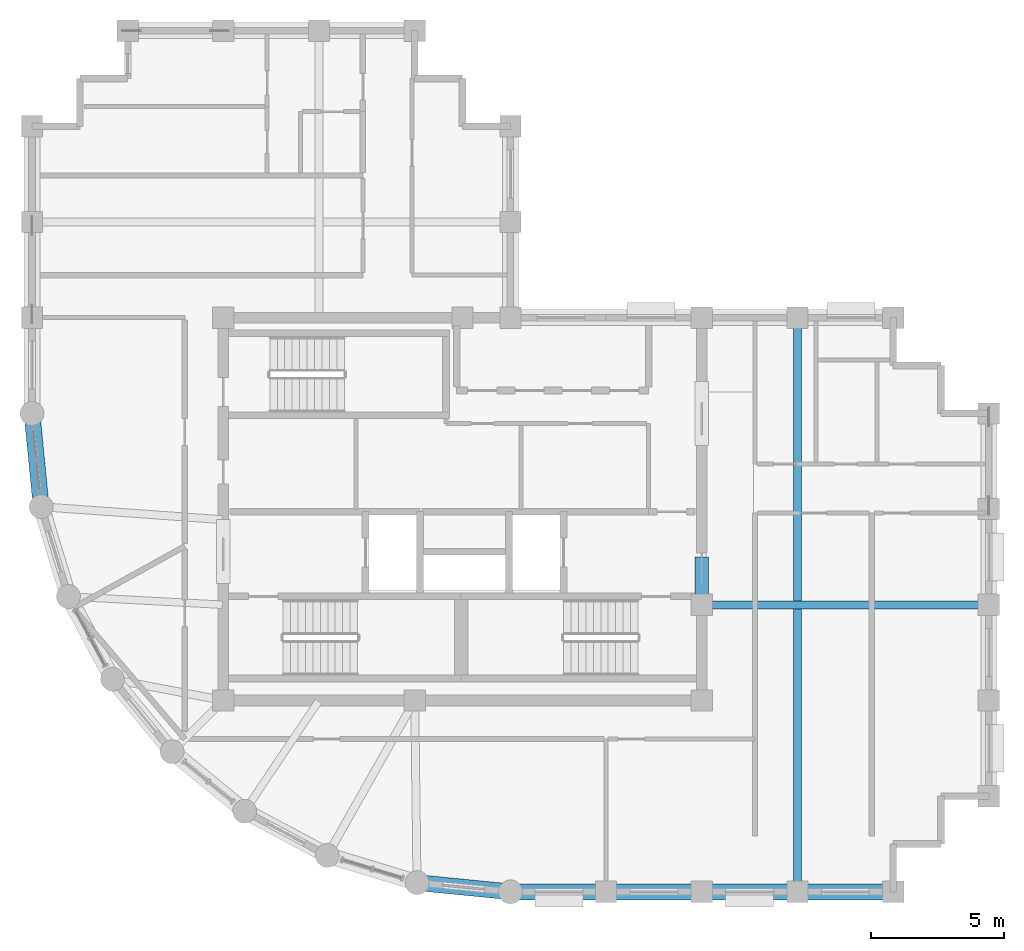
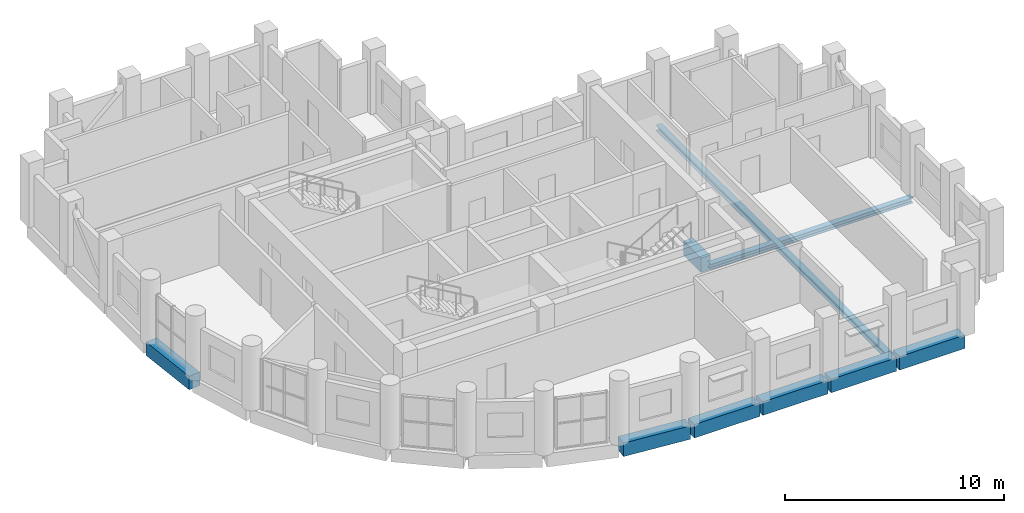
# One storey, part 4 of 11: 9 beams.
"""IFC4 building model written with IfcOpenShell, lengths in metres."""

from ifc_helpers import new_model, si_unit, direction, frame, origin, origin_2d, place, context, subcontext, project, spatial, rectangle, i_section, extrude, material, material_profile, profile_set, type_object, element, save


model = new_model("IFC4")

# Units and contexts
model_context = context("Model", 3, precision=1e-05, world=origin(), true_north=direction((0.0, 1.0)))
body_context = subcontext(model_context, "Body", "Model", "MODEL_VIEW")
ifc_project = project(units=[si_unit("LENGTHUNIT", "METRE"), si_unit("AREAUNIT", "SQUARE_METRE"), si_unit("VOLUMEUNIT", "CUBIC_METRE"), si_unit("PLANEANGLEUNIT", "RADIAN"), si_unit("MASSUNIT", "GRAM", prefix="KILO")], contexts=[model_context])

# Site, building, storey
site_placement = place(None, origin())
site = spatial("IfcSite", under=ifc_project, at=site_placement, CompositionType="ELEMENT")
building_placement = place(site_placement, origin())
building = spatial("IfcBuilding", under=site, at=building_placement, Name="Solnavia Interchange Tower", CompositionType="ELEMENT")
storey_placement = place(building_placement, frame((0.0, 0.0, 273.800048828125)))
storey = spatial("IfcBuildingStorey", under=building, at=storey_placement, Name="L69", CompositionType="ELEMENT", Elevation=273.800048828125)

# Beams
ifc_material_1 = material(Name="Concrete C50/60", Category="concrete")
ifc_material_profile_1 = material_profile(ifc_material_1, rectangle(XDim=0.5, YDim=0.800048828125, at=origin_2d()), Name="RC 500x800")
ifc_profile_set_1 = profile_set([ifc_material_profile_1], Name="Concrete C50/60")
beam_type_1 = type_object("IfcBeamType", Name="Beam-Coupling-RC500x800", PredefinedType="LINTEL", material=ifc_profile_set_1)
beam_1_placement = place(storey_placement, frame((32.39990234375, 14.60009765625, -0.400146484375), z_axis=(0.0, 1.0, 0.0), x_axis=(-1.0, 0.0, 0.0)))
element("IfcBeam", 1, at=beam_1_placement, inside=storey, type_object=beam_type_1, Name="CPB-L69-E1 Core coupling lintel beam", PredefinedType="LINTEL", context=body_context, shape_type="SweptSolid", body=[
    extrude(rectangle(XDim=0.5, YDim=0.800048828125, at=origin_2d()), origin(), (0.0, 0.0, 1.0), 1.599853515625),
])
ifc_material_2 = material(Name="Steel S460", Category="steel")
ifc_material_profile_2 = material_profile(ifc_material_2, i_section(OverallWidth=0.300048828125, OverallDepth=0.300048828125, WebThickness=0.010986328125, FlangeThickness=0.01904296875, FilletRadius=0.027099609375, at=origin_2d()), Name="HEB 300")
ifc_profile_set_2 = profile_set([ifc_material_profile_2], Name="Steel S460")
beam_type_2 = type_object("IfcBeamType", Name="Beam-Girder-HEB300", PredefinedType="BEAM", material=ifc_profile_set_2)
beam_2_placement = place(storey_placement, frame((32.47998046875, 14.39990234375, -0.400146484375), z_axis=(1.0, 0.0, 0.0), x_axis=(0.0, 1.0, 0.0)))
element("IfcBeam", 2, at=beam_2_placement, inside=storey, type_object=beam_type_2, Name="GRD-L69-ES01 East wing spine girder", PredefinedType="BEAM", context=body_context, shape_type="SweptSolid", body=[
    extrude(i_section(OverallWidth=0.300048828125, OverallDepth=0.300048828125, WebThickness=0.010986328125, FlangeThickness=0.01904296875, FilletRadius=0.027099609375, at=origin_2d()), origin(), (0.0, 0.0, 1.0), 10.64013671875),
])
ifc_material_3 = material(Name="Steel S355", Category="steel")
ifc_material_profile_3 = material_profile(ifc_material_3, i_section(OverallWidth=0.300048828125, OverallDepth=0.31005859375, WebThickness=0.009033203125, FlangeThickness=0.015380859375, FilletRadius=0.027099609375, at=origin_2d()), Name="HEA 320")
ifc_profile_set_3 = profile_set([ifc_material_profile_3], Name="Steel S355")
beam_type_3 = type_object("IfcBeamType", Name="Beam-Primary-HEA320", PredefinedType="BEAM", material=ifc_profile_set_3)
beam_3_placement = place(storey_placement, frame((36.0, 3.679931640625, -0.405029296875), z_axis=(0.0, 1.0, 0.0), x_axis=(-1.0, 0.0, 0.0)))
element("IfcBeam", 3, at=beam_3_placement, inside=storey, type_object=beam_type_3, Name="GRD-L69-EW02 East wing primary floor girder", PredefinedType="BEAM", context=body_context, shape_type="SweptSolid", body=[
    extrude(i_section(OverallWidth=0.300048828125, OverallDepth=0.31005859375, WebThickness=0.009033203125, FlangeThickness=0.015380859375, FilletRadius=0.027099609375, at=origin_2d()), origin(), (0.0, 0.0, 1.0), 21.440185546875),
])
ifc_material_profile_4 = material_profile(ifc_material_1, rectangle(XDim=0.60009765625, YDim=0.75, at=origin_2d()), Name="RC 600x750")
ifc_profile_set_4 = profile_set([ifc_material_profile_4], Name="Concrete C50/60")
beam_type_4 = type_object("IfcBeamType", Name="Beam-Spandrel-RC600x750", PredefinedType="SPANDREL", material=ifc_profile_set_4)
beam_4_placement = place(storey_placement, frame((7.207763671875, 21.5205078125, -0.375), z_axis=(0.098040038117, -0.995182471171, 0.0), x_axis=(0.995182471171, 0.098040038117, 0.0)))
element("IfcBeam", 4, at=beam_4_placement, inside=storey, type_object=beam_type_4, Name="SPB-L69-01 Framed-tube perimeter spandrel beam", PredefinedType="SPANDREL", context=body_context, shape_type="SweptSolid", body=[
    extrude(rectangle(XDim=0.60009765625, YDim=0.75, at=origin_2d()), origin(), (0.0, 0.0, 1.0), 3.369140625),
])
beam_5_placement = place(storey_placement, frame((21.767578125, 3.938232421875, -0.375), z_axis=(0.995181774609, -0.098047108501, 0.0), x_axis=(0.098047108501, 0.995181774609, 0.0)))
element("IfcBeam", 5, at=beam_5_placement, inside=storey, type_object=beam_type_4, Name="SPB-L69-08 Framed-tube perimeter spandrel beam", PredefinedType="SPANDREL", context=body_context, shape_type="SweptSolid", body=[
    extrude(rectangle(XDim=0.60009765625, YDim=0.75, at=origin_2d()), origin(), (0.0, 0.0, 1.0), 3.368896484375),
])
beam_6_placement = place(storey_placement, frame((25.280029296875, 3.60009765625, -0.375), z_axis=(1.0, 0.0, 0.0), x_axis=(0.0, 1.0, 0.0)))
element("IfcBeam", 6, at=beam_6_placement, inside=storey, type_object=beam_type_4, Name="SPB-L69-09 Framed-tube perimeter spandrel beam", PredefinedType="SPANDREL", context=body_context, shape_type="SweptSolid", body=[
    extrude(rectangle(XDim=0.60009765625, YDim=0.75, at=origin_2d()), origin(), (0.0, 0.0, 1.0), 3.43994140625),
])
beam_7_placement = place(storey_placement, frame((28.8798828125, 3.60009765625, -0.375), z_axis=(1.0, 0.0, 0.0), x_axis=(0.0, 1.0, 0.0)))
element("IfcBeam", 7, at=beam_7_placement, inside=storey, type_object=beam_type_4, Name="SPB-L69-10 Framed-tube perimeter spandrel beam", PredefinedType="SPANDREL", context=body_context, shape_type="SweptSolid", body=[
    extrude(rectangle(XDim=0.60009765625, YDim=0.75, at=origin_2d()), origin(), (0.0, 0.0, 1.0), 3.440185546875),
])
for number, where, z_axis, x_axis, name in (
    (8, (32.47998046875, 3.60009765625, -0.375), (1.0, 0.0, 0.0), (0.0, 1.0, 0.0), "SPB-L69-11 Framed-tube perimeter spandrel beam"),
    (9, (36.080078125, 3.60009765625, -0.375), (1.0, 0.0, 0.0), (0.0, 1.0, 0.0), "SPB-L69-12 Framed-tube perimeter spandrel beam"),
):
    element("IfcBeam", number, at=place(storey_placement, frame(where, z_axis=z_axis, x_axis=x_axis)), inside=storey, type_object=beam_type_4, Name=name, PredefinedType="SPANDREL", context=body_context, shape_type="SweptSolid", body=[
        extrude(rectangle(XDim=0.60009765625, YDim=0.75, at=origin_2d()), origin(), (0.0, 0.0, 1.0), 3.43994140625),
    ])

save(model, "model.ifc")
